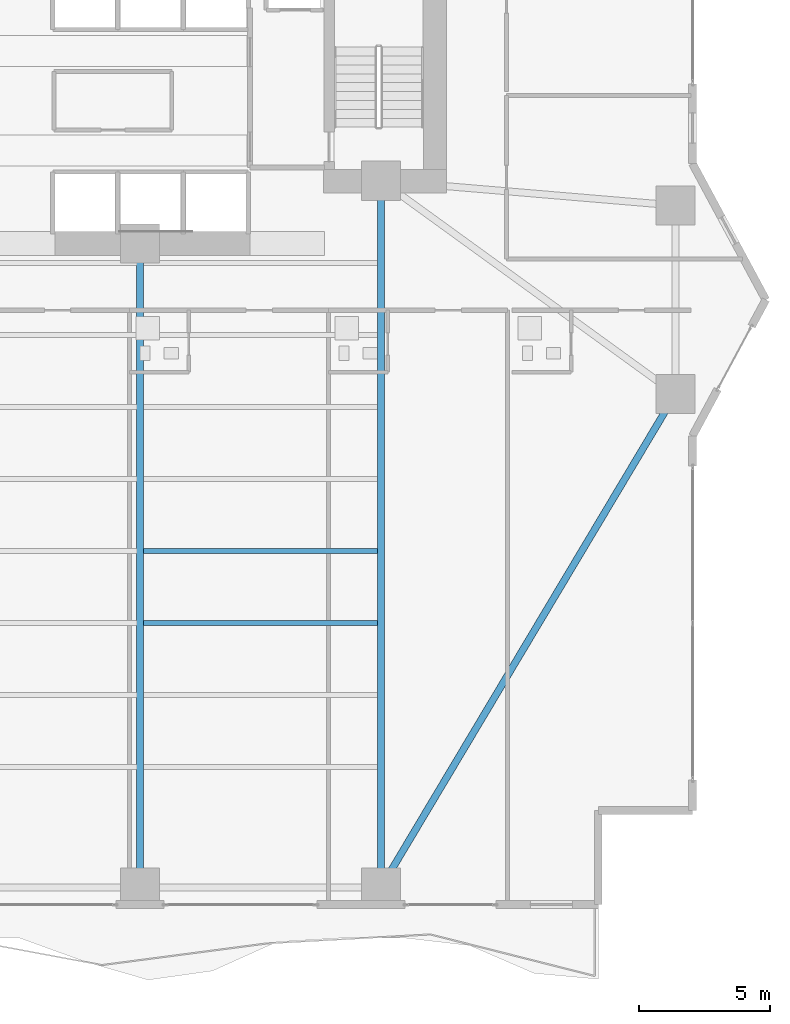
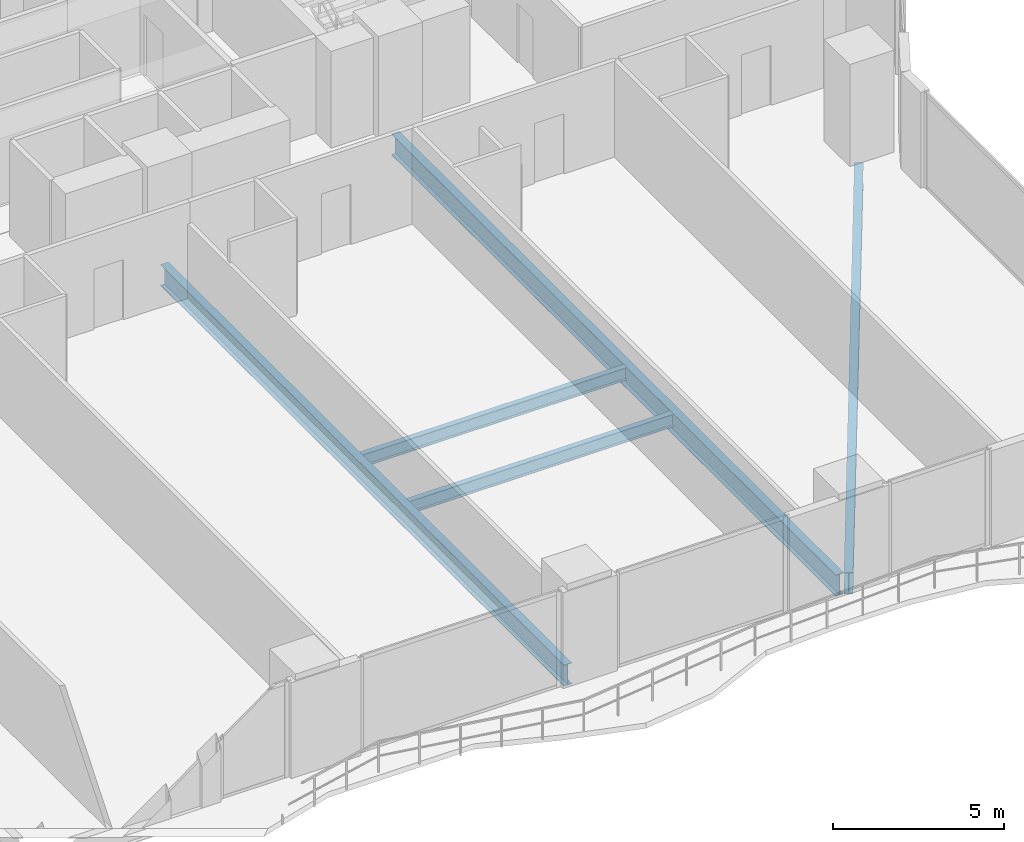
# One storey, part 9 of 28: 5 beams.
"""IFC4 building model written with IfcOpenShell, lengths in metres."""

from ifc_helpers import new_model, si_unit, direction, frame, origin, origin_2d, place, context, subcontext, project, spatial, i_section, extrude, material, material_profile, profile_set, type_object, element, save


model = new_model("IFC4")

# Units and contexts
model_context = context("Model", 3, precision=1e-05, world=origin(), true_north=direction((0.0, 1.0)))
body_context = subcontext(model_context, "Body", "Model", "MODEL_VIEW")
ifc_project = project(units=[si_unit("LENGTHUNIT", "METRE"), si_unit("AREAUNIT", "SQUARE_METRE"), si_unit("VOLUMEUNIT", "CUBIC_METRE"), si_unit("PLANEANGLEUNIT", "RADIAN"), si_unit("MASSUNIT", "GRAM", prefix="KILO")], contexts=[model_context])

# Site, building, storey
site_placement = place(None, origin())
site = spatial("IfcSite", under=ifc_project, at=site_placement, CompositionType="ELEMENT")
building_placement = place(site_placement, origin())
building = spatial("IfcBuilding", under=site, at=building_placement, Name="Zuhayl Quay Hotel", CompositionType="ELEMENT")
storey_placement = place(building_placement, frame((0.0, 0.0, 49.5)))
storey = spatial("IfcBuildingStorey", under=building, at=storey_placement, Name="L11", CompositionType="ELEMENT", Elevation=49.5)

# Beams
ifc_material = material(Name="Steel ASTM A992 Grade 50", Category="steel")
ifc_material_profile_1 = material_profile(ifc_material, i_section(OverallWidth=0.26708984375, OverallDepth=0.761962890625, WebThickness=0.014404296875, FlangeThickness=0.021484375, at=origin_2d()), Name="W30X116")
ifc_profile_set_1 = profile_set([ifc_material_profile_1], Name="Steel ASTM A992 Grade 50")
beam_type_1 = type_object("IfcBeamType", Name="BM_B1_W30X116", PredefinedType="BEAM", material=ifc_profile_set_1)
beam_1_placement = place(storey_placement, frame((14.05615234375, -22.020751953125, -0.60107421875), z_axis=(0.512482593247, 0.85869761361, 0.0), x_axis=(-0.85869761361, 0.512482593247, 0.0)))
element("IfcBeam", 1, at=beam_1_placement, inside=storey, type_object=beam_type_1, Name="L11 Floor Beam RG_L11_04", PredefinedType="BEAM", context=body_context, shape_type="SweptSolid", body=[
    extrude(i_section(OverallWidth=0.26708984375, OverallDepth=0.761962890625, WebThickness=0.014404296875, FlangeThickness=0.021484375, at=origin_2d()), origin(), (0.0, 0.0, 1.0), 20.9521484375),
])
beam_2_placement = place(storey_placement, frame((4.60009765625, -21.949951171875, -0.60107421875), z_axis=(0.0, 1.0, 0.0), x_axis=(-1.0, 0.0, 0.0)))
element("IfcBeam", 2, at=beam_2_placement, inside=storey, type_object=beam_type_1, Name="L11 Floor Beam FG_S_L11_3", PredefinedType="BEAM", context=body_context, shape_type="SweptSolid", body=[
    extrude(i_section(OverallWidth=0.26708984375, OverallDepth=0.761962890625, WebThickness=0.014404296875, FlangeThickness=0.021484375, at=origin_2d()), origin(), (0.0, 0.0, 1.0), 23.64990234375),
])
beam_3_placement = place(storey_placement, frame((13.800048828125, -21.949951171875, -0.60107421875), z_axis=(0.0, 1.0, 0.0), x_axis=(-1.0, 0.0, 0.0)))
element("IfcBeam", 3, at=beam_3_placement, inside=storey, type_object=beam_type_1, Name="L11 Floor Beam FG_S_L11_4", PredefinedType="BEAM", context=body_context, shape_type="SweptSolid", body=[
    extrude(i_section(OverallWidth=0.26708984375, OverallDepth=0.761962890625, WebThickness=0.014404296875, FlangeThickness=0.021484375, at=origin_2d()), origin(), (0.0, 0.0, 1.0), 26.050048828125),
])
ifc_material_profile_2 = material_profile(ifc_material, i_section(OverallWidth=0.18994140625, OverallDepth=0.45703125, WebThickness=0.009033203125, FlangeThickness=0.014404296875, at=origin_2d()), Name="W18X50")
ifc_profile_set_2 = profile_set([ifc_material_profile_2], Name="Steel ASTM A992 Grade 50")
beam_type_2 = type_object("IfcBeamType", Name="BM_J2_W18X50", PredefinedType="JOIST", material=ifc_profile_set_2)
for number, where, z_axis, x_axis, name in (
    (4, (4.7255859375, -12.35009765625, -0.448486328125), (1.0, 0.0, 0.0), (0.0, 1.0, 0.0), "L11 Floor Beam FJ_L11_5_3"),
    (5, (4.7255859375, -9.60009765625, -0.448486328125), (1.0, 0.0, 0.0), (0.0, 1.0, 0.0), "L11 Floor Beam FJ_L11_6_3"),
):
    element("IfcBeam", number, at=place(storey_placement, frame(where, z_axis=z_axis, x_axis=x_axis)), inside=storey, type_object=beam_type_2, Name=name, PredefinedType="JOIST", context=body_context, shape_type="SweptSolid", body=[
        extrude(i_section(OverallWidth=0.18994140625, OverallDepth=0.45703125, WebThickness=0.009033203125, FlangeThickness=0.014404296875, at=origin_2d()), origin(), (0.0, 0.0, 1.0), 8.948974609375),
    ])

save(model, "model.ifc")
